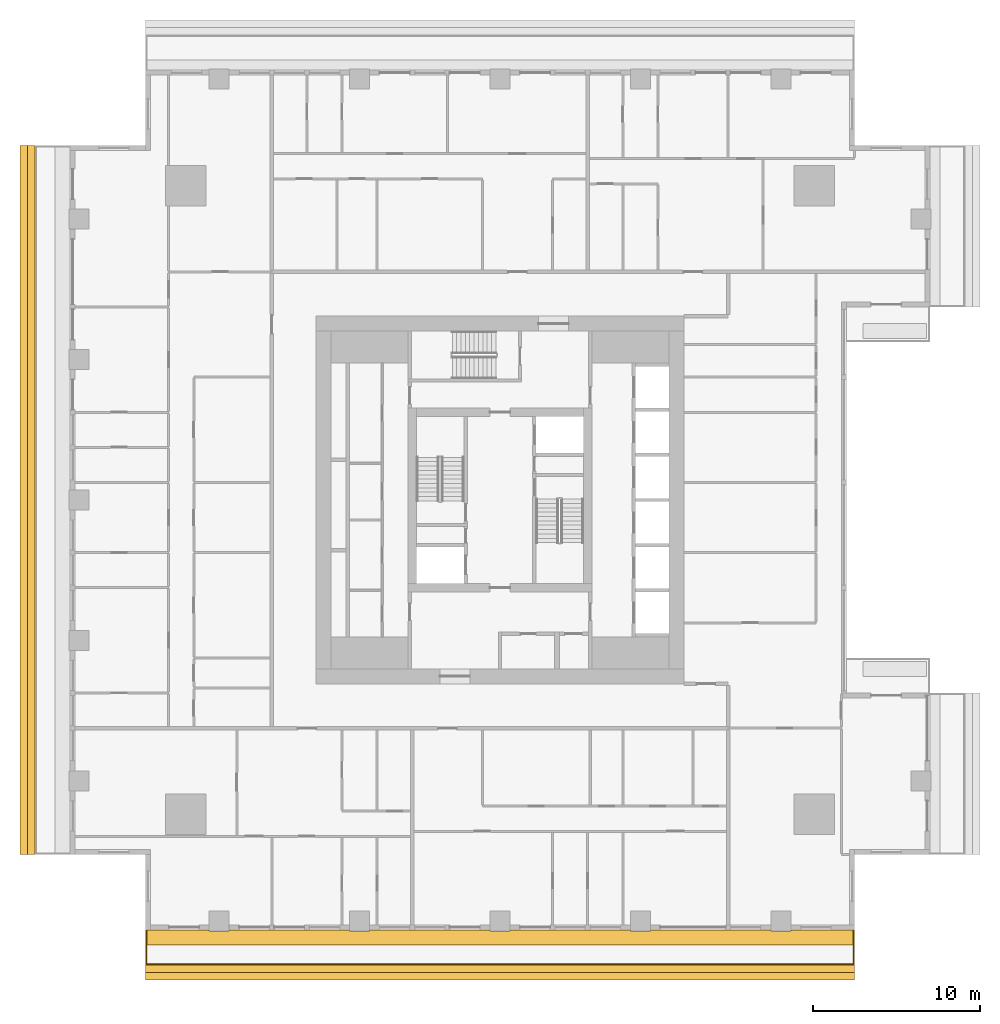
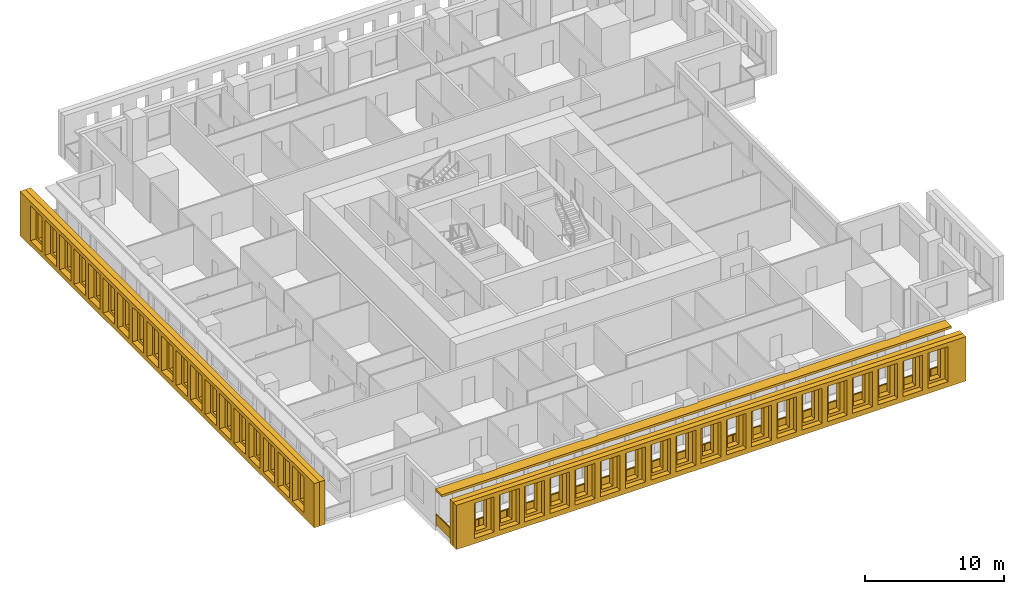
# One storey, part 10 of 15: 5 shading devices, 1 railing.
"""IFC4 building model written with IfcOpenShell, lengths in metres."""

import ifcopenshell
import ifcopenshell.guid

model = None  # the IFC model being written
_history = None  # IfcOwnerHistory: only IFC2X3 demands one
_inside = {}  # id of a spatial element -> (the spatial element, [elements in it])
_under = {}  # id of a project, library or spatial element -> (it, [spatial elements below it])
_declared = {}  # id of a project -> (the project, [libraries it declares])
_typed = {}  # id of a type object -> (the type object, [elements of that type])
_made_of = {}  # id of a material, layer set ... -> (it, [elements and type objects made of it])


def new_model(schema):
    """Start an empty IFC model of exactly this schema.

    Asked for "IFC4X3", IfcOpenShell would pick the latest addendum, in which some entities
    have other attributes; the version numbers below select the first issue.
    IFC2X3 requires an IfcOwnerHistory on every rooted entity: one is made here for all.
    """
    global model, _history
    if schema == "IFC4X3":
        model = ifcopenshell.file(schema_version=(4, 3, 0, 0))
    else:
        model = ifcopenshell.file(schema=schema)
    _inside.clear()
    _under.clear()
    _declared.clear()
    _typed.clear()
    _made_of.clear()
    _history = None
    if model.schema == "IFC2X3":
        org = make("IfcOrganization", Name="unknown")
        user = make(
            "IfcPersonAndOrganization",
            ThePerson=make("IfcPerson", FamilyName="unknown"),
            TheOrganization=org,
        )
        app = make(
            "IfcApplication",
            ApplicationDeveloper=org,
            Version="unknown",
            ApplicationFullName="unknown",
            ApplicationIdentifier="unknown",
        )
        _history = make(
            "IfcOwnerHistory",
            OwningUser=user,
            OwningApplication=app,
            ChangeAction="ADDED",
            CreationDate=0,
        )
    return model


def make(cls, **values):
    """One entity of the class cls with the attributes given. An attribute that is None is left unset."""
    return model.create_entity(
        cls, **{name: value for name, value in values.items() if value is not None}
    )


def rooted(cls, **values):
    """An entity with a GlobalId (a new one), such as an element, a storey or a relation."""
    return make(cls, GlobalId=ifcopenshell.guid.new(), OwnerHistory=_history, **values)


def si_unit(unit_type, name, prefix=None):
    """IfcSIUnit, for example si_unit("LENGTHUNIT", "METRE", prefix="MILLI")."""
    return make("IfcSIUnit", UnitType=unit_type, Prefix=prefix, Name=name)


def assignment(units):
    """IfcUnitAssignment: the units of a project."""
    return None if units is None else make("IfcUnitAssignment", Units=units)


def point(xyz):
    """IfcCartesianPoint."""
    return None if xyz is None else make("IfcCartesianPoint", Coordinates=xyz)


def direction(xyz):
    """IfcDirection."""
    return None if xyz is None else make("IfcDirection", DirectionRatios=xyz)


def frame(location, z_axis=None, x_axis=None):
    """IfcAxis2Placement3D, a coordinate frame: its origin and axes. An axis left out is left unset."""
    return make(
        "IfcAxis2Placement3D",
        Location=point(location),
        Axis=direction(z_axis),
        RefDirection=direction(x_axis),
    )


def frame_2d(location, x_axis=None):
    """IfcAxis2Placement2D, a coordinate frame in the plane: its origin and x axis."""
    return make(
        "IfcAxis2Placement2D", Location=point(location), RefDirection=direction(x_axis)
    )


def origin():
    """The frame at (0, 0, 0) with its axes left unset."""
    return frame((0.0, 0.0, 0.0))


def origin_2d():
    """The frame at (0, 0) in the plane with its x axis left unset."""
    return frame_2d((0.0, 0.0))


def place(relative_to, where):
    """IfcLocalPlacement: puts the frame where relative to a parent placement (None: the world)."""
    return make(
        "IfcLocalPlacement", PlacementRelTo=relative_to, RelativePlacement=where
    )


def context(
    kind, dimensions, precision=None, world=None, true_north=None, identifier=None
):
    """IfcGeometricRepresentationContext, for example the 3D "Model" context."""
    return make(
        "IfcGeometricRepresentationContext",
        ContextIdentifier=identifier,
        ContextType=kind,
        CoordinateSpaceDimension=dimensions,
        Precision=precision,
        WorldCoordinateSystem=world,
        TrueNorth=true_north,
    )


def subcontext(parent, identifier, kind, view, scale=None):
    """IfcGeometricRepresentationSubContext, for example "Body" below "Model"."""
    return make(
        "IfcGeometricRepresentationSubContext",
        ContextIdentifier=identifier,
        ContextType=kind,
        ParentContext=parent,
        TargetScale=scale,
        TargetView=view,
    )


def project(units=None, contexts=None):
    """IfcProject with its units and contexts."""
    return rooted(
        "IfcProject",
        Name="project",
        RepresentationContexts=contexts,
        UnitsInContext=assignment(units),
    )


def spatial(cls, under=None, at=None, **own):
    """A site, building, storey or space (cls), placed at a placement, below another one or the project."""
    s = rooted(cls, ObjectPlacement=at, **own)
    if under is not None:
        _under.setdefault(under.id(), (under, []))[1].append(s)
    return s


def polyline(points):
    """IfcPolyline through the points."""
    return make("IfcPolyline", Points=[point(p) for p in points])


def profile(cls, at=None, kind="AREA", **sizes):
    """A parametric profile (cls). Its sizes go by their IFC names, for example OverallWidth=200.0."""
    return make(cls, ProfileType=kind, Position=at, **sizes)


def rectangle(**sizes):
    """IfcRectangleProfileDef."""
    return profile("IfcRectangleProfileDef", **sizes)


def outline(outer, holes=None, kind="AREA"):
    """IfcArbitraryClosedProfileDef: a profile drawn as a closed curve; with holes, ...WithVoids."""
    if holes is None:
        return make("IfcArbitraryClosedProfileDef", ProfileType=kind, OuterCurve=outer)
    return make(
        "IfcArbitraryProfileDefWithVoids",
        ProfileType=kind,
        OuterCurve=outer,
        InnerCurves=holes,
    )


def extrude(swept, where, along, depth):
    """IfcExtrudedAreaSolid: the profile swept, set in the frame where, extruded along a direction by depth."""
    return make(
        "IfcExtrudedAreaSolid",
        SweptArea=swept,
        Position=where,
        ExtrudedDirection=direction(along),
        Depth=depth,
    )


def shape(context_of_items, identifier, shape_type, items):
    """IfcShapeRepresentation: the items that make up one representation, for example the "Body"."""
    return make(
        "IfcShapeRepresentation",
        ContextOfItems=context_of_items,
        RepresentationIdentifier=identifier,
        RepresentationType=shape_type,
        Items=items,
    )


def material(Name=None, Category=None):
    """IfcMaterial."""
    return make("IfcMaterial", Name=Name, Category=Category)


def layer(
    of_material, thickness, ventilated=None, Name=None, Category=None, Priority=None
):
    """IfcMaterialLayer: one layer of a wall or slab, of a material (None: an air gap)."""
    return make(
        "IfcMaterialLayer",
        Material=of_material,
        LayerThickness=thickness,
        IsVentilated=ventilated,
        Name=Name,
        Category=Category,
        Priority=Priority,
    )


def layer_set(layers, Name=None):
    """IfcMaterialLayerSet."""
    return make("IfcMaterialLayerSet", MaterialLayers=layers, LayerSetName=Name)


def made_of(thing, what):
    """Note that an element or type object is made of a material, layer set ...; save() writes the relation."""
    if what is not None:
        _made_of.setdefault(what.id(), (what, []))[1].append(thing)
    return thing


def type_object(cls, material=None, **own):
    """A type object (cls), such as IfcWallType, which elements share."""
    return made_of(rooted(cls, **own), material)


def element(
    cls,
    number,
    at=None,
    inside=None,
    cuts=None,
    type_object=None,
    material=None,
    context=None,
    identifier="Body",
    shape_type=None,
    held_by="IfcProductDefinitionShape",
    body=None,
    shapes=None,
    **own,
):
    """One element of the class cls, such as IfcWall. Its Tag is "e" and its number.

    at: its placement. inside: the storey or other place that contains it. cuts: it is an
    opening in that element (IfcRelVoidsElement). A single representation is given by context,
    identifier, shape_type and body (its items); several are given by shapes. held_by: the class
    of the entity that holds the representations. save() writes the other relations.
    """
    e = rooted(cls, Tag="e%d" % number, ObjectPlacement=at, **own)
    if body is not None:
        shapes = [shape(context, identifier, shape_type, body)]
    if shapes is not None:
        e.Representation = make(held_by, Representations=shapes)
    if inside is not None:
        _inside.setdefault(inside.id(), (inside, []))[1].append(e)
    if cuts is not None:
        rooted(
            "IfcRelVoidsElement", RelatingBuildingElement=cuts, RelatedOpeningElement=e
        )
    if type_object is not None:
        _typed.setdefault(type_object.id(), (type_object, []))[1].append(e)
    return made_of(e, material)


def aggregate(whole, parts):
    """IfcRelAggregates: a whole, such as a stair, and the parts it consists of."""
    return rooted("IfcRelAggregates", RelatingObject=whole, RelatedObjects=parts)


def save(model, path):
    """Write the relations noted so far, then the file.

    IfcRelAggregates (storeys below a building ...), IfcRelContainedInSpatialStructure (elements
    in a storey), IfcRelDefinesByType, IfcRelAssociatesMaterial and IfcRelDeclares: one each for
    every whole, place, type object, material and project.
    """
    for whole, parts in _under.values():
        aggregate(whole, parts)
    for where, things in _inside.values():
        rooted(
            "IfcRelContainedInSpatialStructure",
            RelatedElements=things,
            RelatingStructure=where,
        )
    for kind, things in _typed.values():
        rooted("IfcRelDefinesByType", RelatedObjects=things, RelatingType=kind)
    for what, things in _made_of.values():
        rooted("IfcRelAssociatesMaterial", RelatedObjects=things, RelatingMaterial=what)
    for by, libraries in _declared.values():
        rooted("IfcRelDeclares", RelatingContext=by, RelatedDefinitions=libraries)
    model.write(path)


model = new_model("IFC4")

# Units and contexts
model_context = context("Model", 3, precision=1e-05, world=origin(), true_north=direction((0.0, 1.0)))
body_context = subcontext(model_context, "Body", "Model", "MODEL_VIEW")
ifc_project = project(units=[si_unit("LENGTHUNIT", "METRE"), si_unit("AREAUNIT", "SQUARE_METRE"), si_unit("VOLUMEUNIT", "CUBIC_METRE"), si_unit("PLANEANGLEUNIT", "RADIAN"), si_unit("MASSUNIT", "GRAM", prefix="KILO")], contexts=[model_context])

# Site, building, storey
site_placement = place(None, origin())
site = spatial("IfcSite", under=ifc_project, at=site_placement, CompositionType="ELEMENT")
building_placement = place(site_placement, origin())
building = spatial("IfcBuilding", under=site, at=building_placement, Name="Khepri Terraces", CompositionType="ELEMENT")
storey_placement = place(building_placement, frame((0.0, 0.0, 219.60009765625)))
storey = spatial("IfcBuildingStorey", under=building, at=storey_placement, Name="L52", CompositionType="ELEMENT", Elevation=219.60009765625)

# Railing
ifc_material_1 = material(Name="Stainless steel grade 316", Category="steel")
railing_type = type_object("IfcRailingType", Name="GRD-BAL-1100", PredefinedType="GUARDRAIL", material=ifc_material_1)
railing_placement = place(storey_placement, frame((-21.169921875, -25.719970703125, 0.0)))
element("IfcRailing", 1, at=railing_placement, inside=storey, type_object=railing_type, Name="Balcony guard L52 S", PredefinedType="GUARDRAIL", context=body_context, shape_type="SweptSolid", body=[
    extrude(rectangle(XDim=0.050048828125, YDim=0.06005859375, at=origin_2d()), frame((0.0, 0.0, 1.070068359375), z_axis=(0.0, -1.0, 0.0), x_axis=(1.0, 0.0, 0.0)), (0.0, 0.0, 1.0), 2.050048828125),
    extrude(rectangle(XDim=2.0, YDim=0.011962890625, at=origin_2d()), frame((0.0, -1.02490234375, 0.10009765625), z_axis=(0.0, 0.0, 1.0), x_axis=(0.0, -1.0, 0.0)), (0.0, 0.0, 1.0), 0.93994140625),
    extrude(rectangle(XDim=0.050048828125, YDim=0.06005859375, at=origin_2d()), frame((0.0, -2.050048828125, 1.070068359375), z_axis=(1.0, 0.0, 0.0), x_axis=(0.0, 1.0, 0.0)), (0.0, 0.0, 1.0), 42.33984375),
    extrude(rectangle(XDim=2.30224609375, YDim=0.011962890625, at=origin_2d()), frame((1.176025390625, -2.050048828125, 0.10009765625), z_axis=(0.0, 0.0, 1.0), x_axis=(1.0, 0.0, 0.0)), (0.0, 0.0, 1.0), 0.93994140625),
    extrude(rectangle(XDim=2.30224609375, YDim=0.011962890625, at=origin_2d()), frame((3.5283203125, -2.050048828125, 0.10009765625), z_axis=(0.0, 0.0, 1.0), x_axis=(1.0, 0.0, 0.0)), (0.0, 0.0, 1.0), 0.93994140625),
    extrude(rectangle(XDim=2.30224609375, YDim=0.011962890625, at=origin_2d()), frame((5.880615234375, -2.050048828125, 0.10009765625), z_axis=(0.0, 0.0, 1.0), x_axis=(1.0, 0.0, 0.0)), (0.0, 0.0, 1.0), 0.93994140625),
    extrude(rectangle(XDim=2.30224609375, YDim=0.011962890625, at=origin_2d()), frame((8.232666015625, -2.050048828125, 0.10009765625), z_axis=(0.0, 0.0, 1.0), x_axis=(1.0, 0.0, 0.0)), (0.0, 0.0, 1.0), 0.93994140625),
    extrude(rectangle(XDim=2.30224609375, YDim=0.011962890625, at=origin_2d()), frame((10.5849609375, -2.050048828125, 0.10009765625), z_axis=(0.0, 0.0, 1.0), x_axis=(1.0, 0.0, 0.0)), (0.0, 0.0, 1.0), 0.93994140625),
    extrude(rectangle(XDim=2.30224609375, YDim=0.011962890625, at=origin_2d()), frame((12.937255859375, -2.050048828125, 0.10009765625), z_axis=(0.0, 0.0, 1.0), x_axis=(1.0, 0.0, 0.0)), (0.0, 0.0, 1.0), 0.93994140625),
    extrude(rectangle(XDim=2.30224609375, YDim=0.011962890625, at=origin_2d()), frame((15.289306640625, -2.050048828125, 0.10009765625), z_axis=(0.0, 0.0, 1.0), x_axis=(1.0, 0.0, 0.0)), (0.0, 0.0, 1.0), 0.93994140625),
    extrude(rectangle(XDim=2.30224609375, YDim=0.011962890625, at=origin_2d()), frame((17.6416015625, -2.050048828125, 0.10009765625), z_axis=(0.0, 0.0, 1.0), x_axis=(1.0, 0.0, 0.0)), (0.0, 0.0, 1.0), 0.93994140625),
    extrude(rectangle(XDim=2.30224609375, YDim=0.011962890625, at=origin_2d()), frame((19.993896484375, -2.050048828125, 0.10009765625), z_axis=(0.0, 0.0, 1.0), x_axis=(1.0, 0.0, 0.0)), (0.0, 0.0, 1.0), 0.93994140625),
    extrude(rectangle(XDim=2.30224609375, YDim=0.011962890625, at=origin_2d()), frame((22.345947265625, -2.050048828125, 0.10009765625), z_axis=(0.0, 0.0, 1.0), x_axis=(1.0, 0.0, 0.0)), (0.0, 0.0, 1.0), 0.93994140625),
    extrude(rectangle(XDim=2.30224609375, YDim=0.011962890625, at=origin_2d()), frame((24.6982421875, -2.050048828125, 0.10009765625), z_axis=(0.0, 0.0, 1.0), x_axis=(1.0, 0.0, 0.0)), (0.0, 0.0, 1.0), 0.93994140625),
    extrude(rectangle(XDim=2.30224609375, YDim=0.011962890625, at=origin_2d()), frame((27.050537109375, -2.050048828125, 0.10009765625), z_axis=(0.0, 0.0, 1.0), x_axis=(1.0, 0.0, 0.0)), (0.0, 0.0, 1.0), 0.93994140625),
    extrude(rectangle(XDim=2.30224609375, YDim=0.011962890625, at=origin_2d()), frame((29.402587890625, -2.050048828125, 0.10009765625), z_axis=(0.0, 0.0, 1.0), x_axis=(1.0, 0.0, 0.0)), (0.0, 0.0, 1.0), 0.93994140625),
    extrude(rectangle(XDim=2.30224609375, YDim=0.011962890625, at=origin_2d()), frame((31.7548828125, -2.050048828125, 0.10009765625), z_axis=(0.0, 0.0, 1.0), x_axis=(1.0, 0.0, 0.0)), (0.0, 0.0, 1.0), 0.93994140625),
    extrude(rectangle(XDim=2.30224609375, YDim=0.011962890625, at=origin_2d()), frame((34.107177734375, -2.050048828125, 0.10009765625), z_axis=(0.0, 0.0, 1.0), x_axis=(1.0, 0.0, 0.0)), (0.0, 0.0, 1.0), 0.93994140625),
    extrude(rectangle(XDim=2.30224609375, YDim=0.011962890625, at=origin_2d()), frame((36.459228515625, -2.050048828125, 0.10009765625), z_axis=(0.0, 0.0, 1.0), x_axis=(1.0, 0.0, 0.0)), (0.0, 0.0, 1.0), 0.93994140625),
    extrude(rectangle(XDim=2.30224609375, YDim=0.011962890625, at=origin_2d()), frame((38.8115234375, -2.050048828125, 0.10009765625), z_axis=(0.0, 0.0, 1.0), x_axis=(1.0, 0.0, 0.0)), (0.0, 0.0, 1.0), 0.93994140625),
    extrude(rectangle(XDim=2.30224609375, YDim=0.011962890625, at=origin_2d()), frame((41.163818359375, -2.050048828125, 0.10009765625), z_axis=(0.0, 0.0, 1.0), x_axis=(1.0, 0.0, 0.0)), (0.0, 0.0, 1.0), 0.93994140625),
    extrude(rectangle(XDim=0.050048828125, YDim=0.06005859375, at=origin_2d()), frame((42.33984375, -2.050048828125, 1.070068359375), z_axis=(0.0, 1.0, 0.0), x_axis=(-1.0, 0.0, 0.0)), (0.0, 0.0, 1.0), 2.050048828125),
    extrude(rectangle(XDim=2.0, YDim=0.011962890625, at=origin_2d()), frame((42.33984375, -1.02490234375, 0.10009765625), z_axis=(0.0, 0.0, 1.0), x_axis=(0.0, 1.0, 0.0)), (0.0, 0.0, 1.0), 0.93994140625),
    extrude(rectangle(XDim=0.050048828125, YDim=0.050048828125, at=origin_2d()), origin(), (0.0, 0.0, 1.0), 1.0400390625),
    extrude(rectangle(XDim=0.050048828125, YDim=0.050048828125, at=origin_2d()), frame((0.0, -2.050048828125, 0.0)), (0.0, 0.0, 1.0), 1.0400390625),
    extrude(rectangle(XDim=0.050048828125, YDim=0.050048828125, at=origin_2d()), frame((2.352294921875, -2.050048828125, 0.0)), (0.0, 0.0, 1.0), 1.0400390625),
    extrude(rectangle(XDim=0.050048828125, YDim=0.050048828125, at=origin_2d()), frame((4.704345703125, -2.050048828125, 0.0)), (0.0, 0.0, 1.0), 1.0400390625),
    extrude(rectangle(XDim=0.050048828125, YDim=0.050048828125, at=origin_2d()), frame((7.056640625, -2.050048828125, 0.0)), (0.0, 0.0, 1.0), 1.0400390625),
    extrude(rectangle(XDim=0.050048828125, YDim=0.050048828125, at=origin_2d()), frame((9.408935546875, -2.050048828125, 0.0)), (0.0, 0.0, 1.0), 1.0400390625),
    extrude(rectangle(XDim=0.050048828125, YDim=0.050048828125, at=origin_2d()), frame((11.760986328125, -2.050048828125, 0.0)), (0.0, 0.0, 1.0), 1.0400390625),
    extrude(rectangle(XDim=0.050048828125, YDim=0.050048828125, at=origin_2d()), frame((14.11328125, -2.050048828125, 0.0)), (0.0, 0.0, 1.0), 1.0400390625),
    extrude(rectangle(XDim=0.050048828125, YDim=0.050048828125, at=origin_2d()), frame((16.465576171875, -2.050048828125, 0.0)), (0.0, 0.0, 1.0), 1.0400390625),
    extrude(rectangle(XDim=0.050048828125, YDim=0.050048828125, at=origin_2d()), frame((18.817626953125, -2.050048828125, 0.0)), (0.0, 0.0, 1.0), 1.0400390625),
    extrude(rectangle(XDim=0.050048828125, YDim=0.050048828125, at=origin_2d()), frame((21.169921875, -2.050048828125, 0.0)), (0.0, 0.0, 1.0), 1.0400390625),
    extrude(rectangle(XDim=0.050048828125, YDim=0.050048828125, at=origin_2d()), frame((23.522216796875, -2.050048828125, 0.0)), (0.0, 0.0, 1.0), 1.0400390625),
    extrude(rectangle(XDim=0.050048828125, YDim=0.050048828125, at=origin_2d()), frame((25.874267578125, -2.050048828125, 0.0)), (0.0, 0.0, 1.0), 1.0400390625),
    extrude(rectangle(XDim=0.050048828125, YDim=0.050048828125, at=origin_2d()), frame((28.2265625, -2.050048828125, 0.0)), (0.0, 0.0, 1.0), 1.0400390625),
    extrude(rectangle(XDim=0.050048828125, YDim=0.050048828125, at=origin_2d()), frame((30.578857421875, -2.050048828125, 0.0)), (0.0, 0.0, 1.0), 1.0400390625),
    extrude(rectangle(XDim=0.050048828125, YDim=0.050048828125, at=origin_2d()), frame((32.930908203125, -2.050048828125, 0.0)), (0.0, 0.0, 1.0), 1.0400390625),
    extrude(rectangle(XDim=0.050048828125, YDim=0.050048828125, at=origin_2d()), frame((35.283203125, -2.050048828125, 0.0)), (0.0, 0.0, 1.0), 1.0400390625),
    extrude(rectangle(XDim=0.050048828125, YDim=0.050048828125, at=origin_2d()), frame((37.635498046875, -2.050048828125, 0.0)), (0.0, 0.0, 1.0), 1.0400390625),
    extrude(rectangle(XDim=0.050048828125, YDim=0.050048828125, at=origin_2d()), frame((39.987548828125, -2.050048828125, 0.0)), (0.0, 0.0, 1.0), 1.0400390625),
    extrude(rectangle(XDim=0.050048828125, YDim=0.050048828125, at=origin_2d()), frame((42.33984375, -2.050048828125, 0.0)), (0.0, 0.0, 1.0), 1.0400390625),
    extrude(rectangle(XDim=0.050048828125, YDim=0.050048828125, at=origin_2d()), frame((42.33984375, 0.0, 0.0)), (0.0, 0.0, 1.0), 1.0400390625),
])

# Shading devices
ifc_material_2 = material(Name="Precast concrete C50/60 warm stone", Category="masonry")
shading_device_type_1 = type_object("IfcShadingDeviceType", Name="SCR-CELL-INNER-450", PredefinedType="USERDEFINED", material=ifc_material_2)
shading_device_1_placement = place(storey_placement, frame((-21.219970703125, -27.820068359375, -0.25), z_axis=(0.0, -1.0, 0.0), x_axis=(1.0, 0.0, 0.0)))
element("IfcShadingDevice", 2, at=shading_device_1_placement, inside=storey, type_object=shading_device_type_1, Name="Cell screen L52 S in", ObjectType="SCREEN", PredefinedType="USERDEFINED", context=body_context, shape_type="SweptSolid", body=[
    extrude(outline(polyline([(0.0, 0.0), (42.43994140625, 0.0), (42.43994140625, 3.89990234375), (0.0, 3.89990234375), (0.0, 0.0)]), holes=[polyline([(1.847412109375, 0.699951171875), (2.79248046875, 0.699951171875), (2.79248046875, 3.300048828125), (1.847412109375, 3.300048828125), (1.847412109375, 0.699951171875)]), polyline([(3.947509765625, 0.699951171875), (4.892578125, 0.699951171875), (4.892578125, 3.300048828125), (3.947509765625, 3.300048828125), (3.947509765625, 0.699951171875)]), polyline([(6.047607421875, 0.699951171875), (6.992431640625, 0.699951171875), (6.992431640625, 3.300048828125), (6.047607421875, 3.300048828125), (6.047607421875, 0.699951171875)]), polyline([(8.1474609375, 0.699951171875), (9.092529296875, 0.699951171875), (9.092529296875, 3.300048828125), (8.1474609375, 3.300048828125), (8.1474609375, 0.699951171875)]), polyline([(10.24755859375, 0.699951171875), (11.1923828125, 0.699951171875), (11.1923828125, 3.300048828125), (10.24755859375, 3.300048828125), (10.24755859375, 0.699951171875)]), polyline([(12.347412109375, 0.699951171875), (13.29248046875, 0.699951171875), (13.29248046875, 3.300048828125), (12.347412109375, 3.300048828125), (12.347412109375, 0.699951171875)]), polyline([(14.447509765625, 0.699951171875), (15.392578125, 0.699951171875), (15.392578125, 3.300048828125), (14.447509765625, 3.300048828125), (14.447509765625, 0.699951171875)]), polyline([(16.547607421875, 0.699951171875), (17.492431640625, 0.699951171875), (17.492431640625, 3.300048828125), (16.547607421875, 3.300048828125), (16.547607421875, 0.699951171875)]), polyline([(18.6474609375, 0.699951171875), (19.592529296875, 0.699951171875), (19.592529296875, 3.300048828125), (18.6474609375, 3.300048828125), (18.6474609375, 0.699951171875)]), polyline([(20.74755859375, 0.699951171875), (21.6923828125, 0.699951171875), (21.6923828125, 3.300048828125), (20.74755859375, 3.300048828125), (20.74755859375, 0.699951171875)]), polyline([(22.847412109375, 0.699951171875), (23.79248046875, 0.699951171875), (23.79248046875, 3.300048828125), (22.847412109375, 3.300048828125), (22.847412109375, 0.699951171875)]), polyline([(24.947509765625, 0.699951171875), (25.892578125, 0.699951171875), (25.892578125, 3.300048828125), (24.947509765625, 3.300048828125), (24.947509765625, 0.699951171875)]), polyline([(27.047607421875, 0.699951171875), (27.992431640625, 0.699951171875), (27.992431640625, 3.300048828125), (27.047607421875, 3.300048828125), (27.047607421875, 0.699951171875)]), polyline([(29.1474609375, 0.699951171875), (30.092529296875, 0.699951171875), (30.092529296875, 3.300048828125), (29.1474609375, 3.300048828125), (29.1474609375, 0.699951171875)]), polyline([(31.24755859375, 0.699951171875), (32.1923828125, 0.699951171875), (32.1923828125, 3.300048828125), (31.24755859375, 3.300048828125), (31.24755859375, 0.699951171875)]), polyline([(33.347412109375, 0.699951171875), (34.29248046875, 0.699951171875), (34.29248046875, 3.300048828125), (33.347412109375, 3.300048828125), (33.347412109375, 0.699951171875)]), polyline([(35.447509765625, 0.699951171875), (36.392578125, 0.699951171875), (36.392578125, 3.300048828125), (35.447509765625, 3.300048828125), (35.447509765625, 0.699951171875)]), polyline([(37.547607421875, 0.699951171875), (38.492431640625, 0.699951171875), (38.492431640625, 3.300048828125), (37.547607421875, 3.300048828125), (37.547607421875, 0.699951171875)]), polyline([(39.6474609375, 0.699951171875), (40.592529296875, 0.699951171875), (40.592529296875, 3.300048828125), (39.6474609375, 3.300048828125), (39.6474609375, 0.699951171875)])]), origin(), (0.0, 0.0, 1.0), 0.449951171875),
])
shading_device_2_placement = place(storey_placement, frame((-27.820068359375, 21.219970703125, -0.25), z_axis=(-1.0, 0.0, 0.0), x_axis=(0.0, -1.0, 0.0)))
element("IfcShadingDevice", 3, at=shading_device_2_placement, inside=storey, type_object=shading_device_type_1, Name="Cell screen L52 W in", ObjectType="SCREEN", PredefinedType="USERDEFINED", context=body_context, shape_type="SweptSolid", body=[
    extrude(outline(polyline([(0.0, 0.0), (42.43994140625, 0.0), (42.43994140625, 3.89990234375), (0.0, 3.89990234375), (0.0, 0.0)]), holes=[polyline([(1.847412109375, 0.699951171875), (2.79248046875, 0.699951171875), (2.79248046875, 3.300048828125), (1.847412109375, 3.300048828125), (1.847412109375, 0.699951171875)]), polyline([(3.947509765625, 0.699951171875), (4.892578125, 0.699951171875), (4.892578125, 3.300048828125), (3.947509765625, 3.300048828125), (3.947509765625, 0.699951171875)]), polyline([(6.047607421875, 0.699951171875), (6.992431640625, 0.699951171875), (6.992431640625, 3.300048828125), (6.047607421875, 3.300048828125), (6.047607421875, 0.699951171875)]), polyline([(8.1474609375, 0.699951171875), (9.092529296875, 0.699951171875), (9.092529296875, 3.300048828125), (8.1474609375, 3.300048828125), (8.1474609375, 0.699951171875)]), polyline([(10.24755859375, 0.699951171875), (11.1923828125, 0.699951171875), (11.1923828125, 3.300048828125), (10.24755859375, 3.300048828125), (10.24755859375, 0.699951171875)]), polyline([(12.347412109375, 0.699951171875), (13.29248046875, 0.699951171875), (13.29248046875, 3.300048828125), (12.347412109375, 3.300048828125), (12.347412109375, 0.699951171875)]), polyline([(14.447509765625, 0.699951171875), (15.392578125, 0.699951171875), (15.392578125, 3.300048828125), (14.447509765625, 3.300048828125), (14.447509765625, 0.699951171875)]), polyline([(16.547607421875, 0.699951171875), (17.492431640625, 0.699951171875), (17.492431640625, 3.300048828125), (16.547607421875, 3.300048828125), (16.547607421875, 0.699951171875)]), polyline([(18.6474609375, 0.699951171875), (19.592529296875, 0.699951171875), (19.592529296875, 3.300048828125), (18.6474609375, 3.300048828125), (18.6474609375, 0.699951171875)]), polyline([(20.74755859375, 0.699951171875), (21.6923828125, 0.699951171875), (21.6923828125, 3.300048828125), (20.74755859375, 3.300048828125), (20.74755859375, 0.699951171875)]), polyline([(22.847412109375, 0.699951171875), (23.79248046875, 0.699951171875), (23.79248046875, 3.300048828125), (22.847412109375, 3.300048828125), (22.847412109375, 0.699951171875)]), polyline([(24.947509765625, 0.699951171875), (25.892578125, 0.699951171875), (25.892578125, 3.300048828125), (24.947509765625, 3.300048828125), (24.947509765625, 0.699951171875)]), polyline([(27.047607421875, 0.699951171875), (27.992431640625, 0.699951171875), (27.992431640625, 3.300048828125), (27.047607421875, 3.300048828125), (27.047607421875, 0.699951171875)]), polyline([(29.1474609375, 0.699951171875), (30.092529296875, 0.699951171875), (30.092529296875, 3.300048828125), (29.1474609375, 3.300048828125), (29.1474609375, 0.699951171875)]), polyline([(31.24755859375, 0.699951171875), (32.1923828125, 0.699951171875), (32.1923828125, 3.300048828125), (31.24755859375, 3.300048828125), (31.24755859375, 0.699951171875)]), polyline([(33.347412109375, 0.699951171875), (34.29248046875, 0.699951171875), (34.29248046875, 3.300048828125), (33.347412109375, 3.300048828125), (33.347412109375, 0.699951171875)]), polyline([(35.447509765625, 0.699951171875), (36.392578125, 0.699951171875), (36.392578125, 3.300048828125), (35.447509765625, 3.300048828125), (35.447509765625, 0.699951171875)]), polyline([(37.547607421875, 0.699951171875), (38.492431640625, 0.699951171875), (38.492431640625, 3.300048828125), (37.547607421875, 3.300048828125), (37.547607421875, 0.699951171875)]), polyline([(39.6474609375, 0.699951171875), (40.592529296875, 0.699951171875), (40.592529296875, 3.300048828125), (39.6474609375, 3.300048828125), (39.6474609375, 0.699951171875)])]), origin(), (0.0, 0.0, 1.0), 0.449951171875),
])
shading_device_type_2 = type_object("IfcShadingDeviceType", Name="SCR-CELL-OUTER-450", PredefinedType="USERDEFINED", material=ifc_material_2)
shading_device_3_placement = place(storey_placement, frame((-21.219970703125, -28.27001953125, -0.25), z_axis=(0.0, -1.0, 0.0), x_axis=(1.0, 0.0, 0.0)))
element("IfcShadingDevice", 4, at=shading_device_3_placement, inside=storey, type_object=shading_device_type_2, Name="Cell screen L52 S out", ObjectType="SCREEN", PredefinedType="USERDEFINED", context=body_context, shape_type="SweptSolid", body=[
    extrude(outline(polyline([(0.0, 0.0), (42.43994140625, 0.0), (42.43994140625, 3.89990234375), (0.0, 3.89990234375), (0.0, 0.0)]), holes=[polyline([(1.49755859375, 0.449951171875), (3.142578125, 0.449951171875), (3.142578125, 3.550048828125), (1.49755859375, 3.550048828125), (1.49755859375, 0.449951171875)]), polyline([(3.597412109375, 0.449951171875), (5.242431640625, 0.449951171875), (5.242431640625, 3.550048828125), (3.597412109375, 3.550048828125), (3.597412109375, 0.449951171875)]), polyline([(5.697509765625, 0.449951171875), (7.342529296875, 0.449951171875), (7.342529296875, 3.550048828125), (5.697509765625, 3.550048828125), (5.697509765625, 0.449951171875)]), polyline([(7.797607421875, 0.449951171875), (9.4423828125, 0.449951171875), (9.4423828125, 3.550048828125), (7.797607421875, 3.550048828125), (7.797607421875, 0.449951171875)]), polyline([(9.8974609375, 0.449951171875), (11.54248046875, 0.449951171875), (11.54248046875, 3.550048828125), (9.8974609375, 3.550048828125), (9.8974609375, 0.449951171875)]), polyline([(11.99755859375, 0.449951171875), (13.642578125, 0.449951171875), (13.642578125, 3.550048828125), (11.99755859375, 3.550048828125), (11.99755859375, 0.449951171875)]), polyline([(14.097412109375, 0.449951171875), (15.742431640625, 0.449951171875), (15.742431640625, 3.550048828125), (14.097412109375, 3.550048828125), (14.097412109375, 0.449951171875)]), polyline([(16.197509765625, 0.449951171875), (17.842529296875, 0.449951171875), (17.842529296875, 3.550048828125), (16.197509765625, 3.550048828125), (16.197509765625, 0.449951171875)]), polyline([(18.297607421875, 0.449951171875), (19.9423828125, 0.449951171875), (19.9423828125, 3.550048828125), (18.297607421875, 3.550048828125), (18.297607421875, 0.449951171875)]), polyline([(20.3974609375, 0.449951171875), (22.04248046875, 0.449951171875), (22.04248046875, 3.550048828125), (20.3974609375, 3.550048828125), (20.3974609375, 0.449951171875)]), polyline([(22.49755859375, 0.449951171875), (24.142578125, 0.449951171875), (24.142578125, 3.550048828125), (22.49755859375, 3.550048828125), (22.49755859375, 0.449951171875)]), polyline([(24.597412109375, 0.449951171875), (26.242431640625, 0.449951171875), (26.242431640625, 3.550048828125), (24.597412109375, 3.550048828125), (24.597412109375, 0.449951171875)]), polyline([(26.697509765625, 0.449951171875), (28.342529296875, 0.449951171875), (28.342529296875, 3.550048828125), (26.697509765625, 3.550048828125), (26.697509765625, 0.449951171875)]), polyline([(28.797607421875, 0.449951171875), (30.4423828125, 0.449951171875), (30.4423828125, 3.550048828125), (28.797607421875, 3.550048828125), (28.797607421875, 0.449951171875)]), polyline([(30.8974609375, 0.449951171875), (32.54248046875, 0.449951171875), (32.54248046875, 3.550048828125), (30.8974609375, 3.550048828125), (30.8974609375, 0.449951171875)]), polyline([(32.99755859375, 0.449951171875), (34.642578125, 0.449951171875), (34.642578125, 3.550048828125), (32.99755859375, 3.550048828125), (32.99755859375, 0.449951171875)]), polyline([(35.097412109375, 0.449951171875), (36.742431640625, 0.449951171875), (36.742431640625, 3.550048828125), (35.097412109375, 3.550048828125), (35.097412109375, 0.449951171875)]), polyline([(37.197509765625, 0.449951171875), (38.842529296875, 0.449951171875), (38.842529296875, 3.550048828125), (37.197509765625, 3.550048828125), (37.197509765625, 0.449951171875)]), polyline([(39.297607421875, 0.449951171875), (40.9423828125, 0.449951171875), (40.9423828125, 3.550048828125), (39.297607421875, 3.550048828125), (39.297607421875, 0.449951171875)])]), origin(), (0.0, 0.0, 1.0), 0.449951171875),
])
shading_device_4_placement = place(storey_placement, frame((-28.27001953125, 21.219970703125, -0.25), z_axis=(-1.0, 0.0, 0.0), x_axis=(0.0, -1.0, 0.0)))
element("IfcShadingDevice", 5, at=shading_device_4_placement, inside=storey, type_object=shading_device_type_2, Name="Cell screen L52 W out", ObjectType="SCREEN", PredefinedType="USERDEFINED", context=body_context, shape_type="SweptSolid", body=[
    extrude(outline(polyline([(0.0, 0.0), (42.43994140625, 0.0), (42.43994140625, 3.89990234375), (0.0, 3.89990234375), (0.0, 0.0)]), holes=[polyline([(1.49755859375, 0.449951171875), (3.142578125, 0.449951171875), (3.142578125, 3.550048828125), (1.49755859375, 3.550048828125), (1.49755859375, 0.449951171875)]), polyline([(3.597412109375, 0.449951171875), (5.242431640625, 0.449951171875), (5.242431640625, 3.550048828125), (3.597412109375, 3.550048828125), (3.597412109375, 0.449951171875)]), polyline([(5.697509765625, 0.449951171875), (7.342529296875, 0.449951171875), (7.342529296875, 3.550048828125), (5.697509765625, 3.550048828125), (5.697509765625, 0.449951171875)]), polyline([(7.797607421875, 0.449951171875), (9.4423828125, 0.449951171875), (9.4423828125, 3.550048828125), (7.797607421875, 3.550048828125), (7.797607421875, 0.449951171875)]), polyline([(9.8974609375, 0.449951171875), (11.54248046875, 0.449951171875), (11.54248046875, 3.550048828125), (9.8974609375, 3.550048828125), (9.8974609375, 0.449951171875)]), polyline([(11.99755859375, 0.449951171875), (13.642578125, 0.449951171875), (13.642578125, 3.550048828125), (11.99755859375, 3.550048828125), (11.99755859375, 0.449951171875)]), polyline([(14.097412109375, 0.449951171875), (15.742431640625, 0.449951171875), (15.742431640625, 3.550048828125), (14.097412109375, 3.550048828125), (14.097412109375, 0.449951171875)]), polyline([(16.197509765625, 0.449951171875), (17.842529296875, 0.449951171875), (17.842529296875, 3.550048828125), (16.197509765625, 3.550048828125), (16.197509765625, 0.449951171875)]), polyline([(18.297607421875, 0.449951171875), (19.9423828125, 0.449951171875), (19.9423828125, 3.550048828125), (18.297607421875, 3.550048828125), (18.297607421875, 0.449951171875)]), polyline([(20.3974609375, 0.449951171875), (22.04248046875, 0.449951171875), (22.04248046875, 3.550048828125), (20.3974609375, 3.550048828125), (20.3974609375, 0.449951171875)]), polyline([(22.49755859375, 0.449951171875), (24.142578125, 0.449951171875), (24.142578125, 3.550048828125), (22.49755859375, 3.550048828125), (22.49755859375, 0.449951171875)]), polyline([(24.597412109375, 0.449951171875), (26.242431640625, 0.449951171875), (26.242431640625, 3.550048828125), (24.597412109375, 3.550048828125), (24.597412109375, 0.449951171875)]), polyline([(26.697509765625, 0.449951171875), (28.342529296875, 0.449951171875), (28.342529296875, 3.550048828125), (26.697509765625, 3.550048828125), (26.697509765625, 0.449951171875)]), polyline([(28.797607421875, 0.449951171875), (30.4423828125, 0.449951171875), (30.4423828125, 3.550048828125), (28.797607421875, 3.550048828125), (28.797607421875, 0.449951171875)]), polyline([(30.8974609375, 0.449951171875), (32.54248046875, 0.449951171875), (32.54248046875, 3.550048828125), (30.8974609375, 3.550048828125), (30.8974609375, 0.449951171875)]), polyline([(32.99755859375, 0.449951171875), (34.642578125, 0.449951171875), (34.642578125, 3.550048828125), (32.99755859375, 3.550048828125), (32.99755859375, 0.449951171875)]), polyline([(35.097412109375, 0.449951171875), (36.742431640625, 0.449951171875), (36.742431640625, 3.550048828125), (35.097412109375, 3.550048828125), (35.097412109375, 0.449951171875)]), polyline([(37.197509765625, 0.449951171875), (38.842529296875, 0.449951171875), (38.842529296875, 3.550048828125), (37.197509765625, 3.550048828125), (37.197509765625, 0.449951171875)]), polyline([(39.297607421875, 0.449951171875), (40.9423828125, 0.449951171875), (40.9423828125, 3.550048828125), (39.297607421875, 3.550048828125), (39.297607421875, 0.449951171875)])]), origin(), (0.0, 0.0, 1.0), 0.449951171875),
])
ifc_layer = layer(ifc_material_2, 0.199951171875, Name="Precast concrete C50/60 warm stone", Category="masonry")
ifc_layer_set = layer_set([ifc_layer], Name="Precast concrete C50/60 warm stone")
shading_device_type_3 = type_object("IfcShadingDeviceType", Name="SSH-BAND-STONE-200", PredefinedType="USERDEFINED", material=ifc_layer_set)
shading_device_5_placement = place(storey_placement, frame((0.0, 0.0, 3.099853515625)))
element("IfcShadingDevice", 6, at=shading_device_5_placement, inside=storey, type_object=shading_device_type_3, Name="Sunshade band L52 S", ObjectType="SUNSHADE", PredefinedType="USERDEFINED", context=body_context, shape_type="SweptSolid", body=[
    extrude(outline(polyline([(-17.39990234375, -25.719970703125), (-21.219970703125, -25.719970703125), (-21.219970703125, -26.6201171875), (21.219970703125, -26.6201171875), (21.219970703125, -25.719970703125), (17.39990234375, -25.719970703125), (17.39990234375, -25.800048828125), (16.199951171875, -25.800048828125), (16.199951171875, -25.719970703125), (9.0, -25.719970703125), (9.0, -25.800048828125), (7.800048828125, -25.800048828125), (7.800048828125, -25.719970703125), (0.60009765625, -25.719970703125), (0.60009765625, -25.800048828125), (-0.60009765625, -25.800048828125), (-0.60009765625, -25.719970703125), (-7.800048828125, -25.719970703125), (-7.800048828125, -25.800048828125), (-9.0, -25.800048828125), (-9.0, -25.719970703125), (-16.199951171875, -25.719970703125), (-16.199951171875, -25.800048828125), (-17.39990234375, -25.800048828125), (-17.39990234375, -25.719970703125)])), origin(), (0.0, 0.0, 1.0), 0.199951171875),
])

save(model, "model.ifc")
